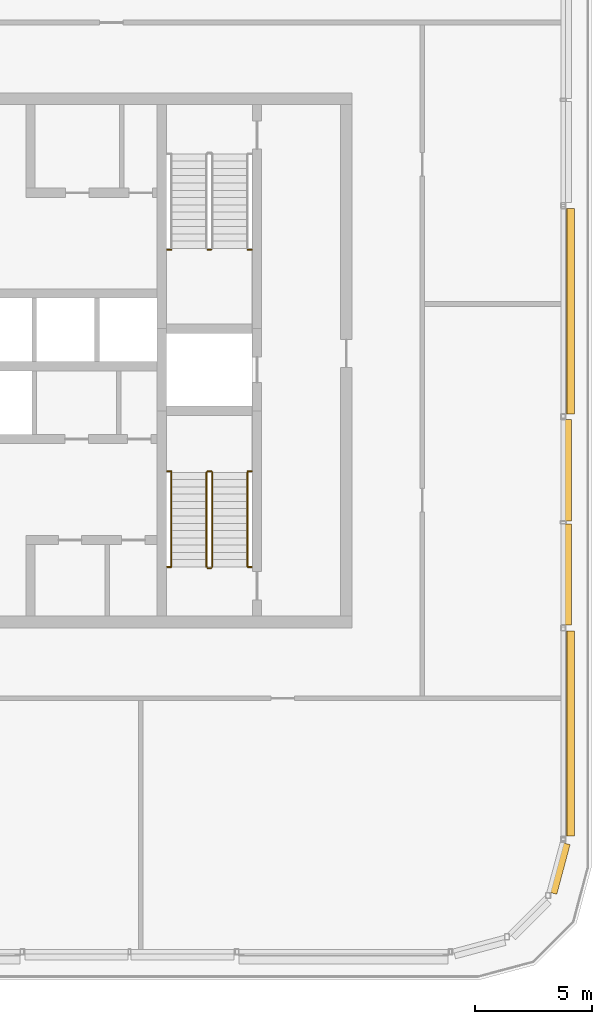
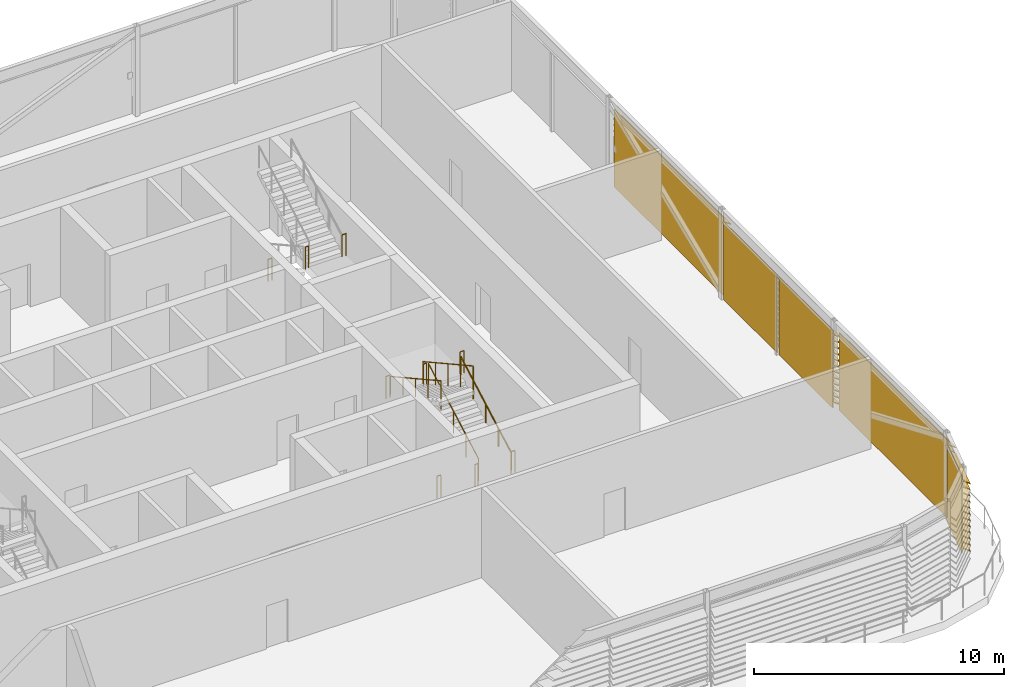
# One storey, part 27 of 29: 13 railings, 5 shading devices.
"""IFC4 building model written with IfcOpenShell, lengths in metres."""

from ifc_helpers import new_model, si_unit, direction, frame, origin, origin_2d, place, context, subcontext, project, spatial, polyline, circle, outline, extrude, material, type_object, element, save


model = new_model("IFC4")

# Units and contexts
model_context = context("Model", 3, precision=1e-05, world=origin(), true_north=direction((0.0, 1.0)))
body_context = subcontext(model_context, "Body", "Model", "MODEL_VIEW")
ifc_project = project(units=[si_unit("LENGTHUNIT", "METRE"), si_unit("AREAUNIT", "SQUARE_METRE"), si_unit("VOLUMEUNIT", "CUBIC_METRE"), si_unit("PLANEANGLEUNIT", "RADIAN"), si_unit("MASSUNIT", "GRAM", prefix="KILO")], contexts=[model_context])

# Site, building, storey
site_placement = place(None, origin())
site = spatial("IfcSite", under=ifc_project, at=site_placement, CompositionType="ELEMENT")
building_placement = place(site_placement, origin())
building = spatial("IfcBuilding", under=site, at=building_placement, Name="Madar Terraces", CompositionType="ELEMENT")
storey_placement = place(building_placement, frame((0.0, 0.0, 296.300048828125)))
storey = spatial("IfcBuildingStorey", under=building, at=storey_placement, Name="L77", CompositionType="ELEMENT", Elevation=296.300048828125)

# Shading devices
ifc_material_1 = material(Name="Aluminium, black anodised", Category="aluminium")
shading_device_type = type_object("IfcShadingDeviceType", Name="Crown louvre bank", PredefinedType="USERDEFINED", material=ifc_material_1)
shading_device_1_placement = place(storey_placement, frame((55.79541015625, 3.743896484375, 0.0), z_axis=(0.258788169352, 0.965934098893, 0.0), x_axis=(-0.965934098893, 0.258788169352, 0.0)))
element("IfcShadingDevice", 1, at=shading_device_1_placement, inside=storey, type_object=shading_device_type, Name="LOUVRE bank L77 8.1", ObjectType="LOUVRE", PredefinedType="USERDEFINED", context=body_context, shape_type="SweptSolid", body=[
    extrude(outline(polyline([(0.014892578125, 0.0), (-0.014892578125, 0.0), (-0.014892578125, 0.24951171875), (-0.3427734375, 0.02001953125), (-0.3427734375, 0.06884765625), (-0.014892578125, 0.29833984375), (-0.014892578125, 0.54931640625), (-0.3427734375, 0.320068359375), (-0.3427734375, 0.368896484375), (-0.014892578125, 0.59814453125), (-0.014892578125, 0.849365234375), (-0.3427734375, 0.6201171875), (-0.3427734375, 0.6689453125), (-0.014892578125, 0.898193359375), (-0.014892578125, 1.1494140625), (-0.3427734375, 0.919921875), (-0.3427734375, 0.96875), (-0.014892578125, 1.1982421875), (-0.014892578125, 1.449462890625), (-0.3427734375, 1.219970703125), (-0.3427734375, 1.268798828125), (-0.014892578125, 1.498291015625), (-0.014892578125, 1.74951171875), (-0.3427734375, 1.52001953125), (-0.3427734375, 1.56884765625), (-0.014892578125, 1.79833984375), (-0.014892578125, 2.04931640625), (-0.3427734375, 1.820068359375), (-0.3427734375, 1.868896484375), (-0.014892578125, 2.09814453125), (-0.014892578125, 2.349365234375), (-0.3427734375, 2.1201171875), (-0.3427734375, 2.1689453125), (-0.014892578125, 2.398193359375), (-0.014892578125, 2.6494140625), (-0.3427734375, 2.419921875), (-0.3427734375, 2.46875), (-0.014892578125, 2.6982421875), (-0.014892578125, 2.949462890625), (-0.3427734375, 2.719970703125), (-0.3427734375, 2.768798828125), (-0.014892578125, 2.998291015625), (-0.014892578125, 3.24951171875), (-0.3427734375, 3.02001953125), (-0.3427734375, 3.06884765625), (-0.014892578125, 3.29833984375), (-0.014892578125, 3.54931640625), (-0.3427734375, 3.320068359375), (-0.3427734375, 3.368896484375), (-0.014892578125, 3.59814453125), (-0.014892578125, 3.798095703125), (0.014892578125, 3.798095703125), (0.014892578125, 0.0)])), origin(), (0.0, 0.0, 1.0), 2.186767578125),
])
shading_device_2_placement = place(storey_placement, frame((56.39990234375, 6.126953125, 0.0), z_axis=(0.0, 1.0, 0.0), x_axis=(-1.0, 0.0, 0.0)))
element("IfcShadingDevice", 2, at=shading_device_2_placement, inside=storey, type_object=shading_device_type, Name="LOUVRE bank L77 9.1", ObjectType="LOUVRE", PredefinedType="USERDEFINED", context=body_context, shape_type="SweptSolid", body=[
    extrude(outline(polyline([(-0.131591796875, 0.0), (-0.16162109375, 0.0), (-0.16162109375, 0.24951171875), (-0.4892578125, 0.02001953125), (-0.4892578125, 0.06884765625), (-0.16162109375, 0.29833984375), (-0.16162109375, 0.54931640625), (-0.4892578125, 0.320068359375), (-0.4892578125, 0.368896484375), (-0.16162109375, 0.59814453125), (-0.16162109375, 0.849365234375), (-0.4892578125, 0.6201171875), (-0.4892578125, 0.6689453125), (-0.16162109375, 0.898193359375), (-0.16162109375, 1.1494140625), (-0.4892578125, 0.919921875), (-0.4892578125, 0.96875), (-0.16162109375, 1.1982421875), (-0.16162109375, 1.449462890625), (-0.4892578125, 1.219970703125), (-0.4892578125, 1.268798828125), (-0.16162109375, 1.498291015625), (-0.16162109375, 1.74951171875), (-0.4892578125, 1.52001953125), (-0.4892578125, 1.56884765625), (-0.16162109375, 1.79833984375), (-0.16162109375, 2.04931640625), (-0.4892578125, 1.820068359375), (-0.4892578125, 1.868896484375), (-0.16162109375, 2.09814453125), (-0.16162109375, 2.349365234375), (-0.4892578125, 2.1201171875), (-0.4892578125, 2.1689453125), (-0.16162109375, 2.398193359375), (-0.16162109375, 2.6494140625), (-0.4892578125, 2.419921875), (-0.4892578125, 2.46875), (-0.16162109375, 2.6982421875), (-0.16162109375, 2.949462890625), (-0.4892578125, 2.719970703125), (-0.4892578125, 2.768798828125), (-0.16162109375, 2.998291015625), (-0.16162109375, 3.24951171875), (-0.4892578125, 3.02001953125), (-0.4892578125, 3.06884765625), (-0.16162109375, 3.29833984375), (-0.16162109375, 3.54931640625), (-0.4892578125, 3.320068359375), (-0.4892578125, 3.368896484375), (-0.16162109375, 3.59814453125), (-0.16162109375, 3.798095703125), (-0.131591796875, 3.798095703125), (-0.131591796875, 0.0)])), origin(), (0.0, 0.0, 1.0), 8.74609375),
])
shading_device_3_placement = place(storey_placement, frame((56.39990234375, 15.126953125, 0.0), z_axis=(0.0, 1.0, 0.0), x_axis=(-1.0, 0.0, 0.0)))
element("IfcShadingDevice", 3, at=shading_device_3_placement, inside=storey, type_object=shading_device_type, Name="LOUVRE bank L77 10.1", ObjectType="LOUVRE", PredefinedType="USERDEFINED", context=body_context, shape_type="SweptSolid", body=[
    extrude(outline(polyline([(0.014892578125, 0.0), (-0.014892578125, 0.0), (-0.014892578125, 0.24951171875), (-0.3427734375, 0.02001953125), (-0.3427734375, 0.06884765625), (-0.014892578125, 0.29833984375), (-0.014892578125, 0.54931640625), (-0.3427734375, 0.320068359375), (-0.3427734375, 0.368896484375), (-0.014892578125, 0.59814453125), (-0.014892578125, 0.849365234375), (-0.3427734375, 0.6201171875), (-0.3427734375, 0.6689453125), (-0.014892578125, 0.898193359375), (-0.014892578125, 1.1494140625), (-0.3427734375, 0.919921875), (-0.3427734375, 0.96875), (-0.014892578125, 1.1982421875), (-0.014892578125, 1.449462890625), (-0.3427734375, 1.219970703125), (-0.3427734375, 1.268798828125), (-0.014892578125, 1.498291015625), (-0.014892578125, 1.74951171875), (-0.3427734375, 1.52001953125), (-0.3427734375, 1.56884765625), (-0.014892578125, 1.79833984375), (-0.014892578125, 2.04931640625), (-0.3427734375, 1.820068359375), (-0.3427734375, 1.868896484375), (-0.014892578125, 2.09814453125), (-0.014892578125, 2.349365234375), (-0.3427734375, 2.1201171875), (-0.3427734375, 2.1689453125), (-0.014892578125, 2.398193359375), (-0.014892578125, 2.6494140625), (-0.3427734375, 2.419921875), (-0.3427734375, 2.46875), (-0.014892578125, 2.6982421875), (-0.014892578125, 2.949462890625), (-0.3427734375, 2.719970703125), (-0.3427734375, 2.768798828125), (-0.014892578125, 2.998291015625), (-0.014892578125, 3.24951171875), (-0.3427734375, 3.02001953125), (-0.3427734375, 3.06884765625), (-0.014892578125, 3.29833984375), (-0.014892578125, 3.54931640625), (-0.3427734375, 3.320068359375), (-0.3427734375, 3.368896484375), (-0.014892578125, 3.59814453125), (-0.014892578125, 3.798095703125), (0.014892578125, 3.798095703125), (0.014892578125, 0.0)])), origin(), (0.0, 0.0, 1.0), 4.3095703125),
])
shading_device_4_placement = place(storey_placement, frame((56.39990234375, 19.5634765625, 0.0), z_axis=(0.0, 1.0, 0.0), x_axis=(-1.0, 0.0, 0.0)))
element("IfcShadingDevice", 4, at=shading_device_4_placement, inside=storey, type_object=shading_device_type, Name="LOUVRE bank L77 10.2", ObjectType="LOUVRE", PredefinedType="USERDEFINED", context=body_context, shape_type="SweptSolid", body=[
    extrude(outline(polyline([(0.014892578125, 0.0), (-0.014892578125, 0.0), (-0.014892578125, 0.24951171875), (-0.3427734375, 0.02001953125), (-0.3427734375, 0.06884765625), (-0.014892578125, 0.29833984375), (-0.014892578125, 0.54931640625), (-0.3427734375, 0.320068359375), (-0.3427734375, 0.368896484375), (-0.014892578125, 0.59814453125), (-0.014892578125, 0.849365234375), (-0.3427734375, 0.6201171875), (-0.3427734375, 0.6689453125), (-0.014892578125, 0.898193359375), (-0.014892578125, 1.1494140625), (-0.3427734375, 0.919921875), (-0.3427734375, 0.96875), (-0.014892578125, 1.1982421875), (-0.014892578125, 1.449462890625), (-0.3427734375, 1.219970703125), (-0.3427734375, 1.268798828125), (-0.014892578125, 1.498291015625), (-0.014892578125, 1.74951171875), (-0.3427734375, 1.52001953125), (-0.3427734375, 1.56884765625), (-0.014892578125, 1.79833984375), (-0.014892578125, 2.04931640625), (-0.3427734375, 1.820068359375), (-0.3427734375, 1.868896484375), (-0.014892578125, 2.09814453125), (-0.014892578125, 2.349365234375), (-0.3427734375, 2.1201171875), (-0.3427734375, 2.1689453125), (-0.014892578125, 2.398193359375), (-0.014892578125, 2.6494140625), (-0.3427734375, 2.419921875), (-0.3427734375, 2.46875), (-0.014892578125, 2.6982421875), (-0.014892578125, 2.949462890625), (-0.3427734375, 2.719970703125), (-0.3427734375, 2.768798828125), (-0.014892578125, 2.998291015625), (-0.014892578125, 3.24951171875), (-0.3427734375, 3.02001953125), (-0.3427734375, 3.06884765625), (-0.014892578125, 3.29833984375), (-0.014892578125, 3.54931640625), (-0.3427734375, 3.320068359375), (-0.3427734375, 3.368896484375), (-0.014892578125, 3.59814453125), (-0.014892578125, 3.798095703125), (0.014892578125, 3.798095703125), (0.014892578125, 0.0)])), origin(), (0.0, 0.0, 1.0), 4.3095703125),
])
shading_device_5_placement = place(storey_placement, frame((56.39990234375, 24.126953125, 0.0), z_axis=(0.0, 1.0, 0.0), x_axis=(-1.0, 0.0, 0.0)))
element("IfcShadingDevice", 5, at=shading_device_5_placement, inside=storey, type_object=shading_device_type, Name="LOUVRE bank L77 11.1", ObjectType="LOUVRE", PredefinedType="USERDEFINED", context=body_context, shape_type="SweptSolid", body=[
    extrude(outline(polyline([(-0.131591796875, 0.0), (-0.16162109375, 0.0), (-0.16162109375, 0.24951171875), (-0.4892578125, 0.02001953125), (-0.4892578125, 0.06884765625), (-0.16162109375, 0.29833984375), (-0.16162109375, 0.54931640625), (-0.4892578125, 0.320068359375), (-0.4892578125, 0.368896484375), (-0.16162109375, 0.59814453125), (-0.16162109375, 0.849365234375), (-0.4892578125, 0.6201171875), (-0.4892578125, 0.6689453125), (-0.16162109375, 0.898193359375), (-0.16162109375, 1.1494140625), (-0.4892578125, 0.919921875), (-0.4892578125, 0.96875), (-0.16162109375, 1.1982421875), (-0.16162109375, 1.449462890625), (-0.4892578125, 1.219970703125), (-0.4892578125, 1.268798828125), (-0.16162109375, 1.498291015625), (-0.16162109375, 1.74951171875), (-0.4892578125, 1.52001953125), (-0.4892578125, 1.56884765625), (-0.16162109375, 1.79833984375), (-0.16162109375, 2.04931640625), (-0.4892578125, 1.820068359375), (-0.4892578125, 1.868896484375), (-0.16162109375, 2.09814453125), (-0.16162109375, 2.349365234375), (-0.4892578125, 2.1201171875), (-0.4892578125, 2.1689453125), (-0.16162109375, 2.398193359375), (-0.16162109375, 2.6494140625), (-0.4892578125, 2.419921875), (-0.4892578125, 2.46875), (-0.16162109375, 2.6982421875), (-0.16162109375, 2.949462890625), (-0.4892578125, 2.719970703125), (-0.4892578125, 2.768798828125), (-0.16162109375, 2.998291015625), (-0.16162109375, 3.24951171875), (-0.4892578125, 3.02001953125), (-0.4892578125, 3.06884765625), (-0.16162109375, 3.29833984375), (-0.16162109375, 3.54931640625), (-0.4892578125, 3.320068359375), (-0.4892578125, 3.368896484375), (-0.16162109375, 3.59814453125), (-0.16162109375, 3.798095703125), (-0.131591796875, 3.798095703125), (-0.131591796875, 0.0)])), origin(), (0.0, 0.0, 1.0), 8.74609375),
])

# Railings
ifc_material_2 = material(Name="Stainless steel railing", Category="steel")
railing_type_1 = type_object("IfcRailingType", Name="Stair guard 1100", PredefinedType="GUARDRAIL", material=ifc_material_2)
railing_1_placement = place(storey_placement, frame((41.25, 31.1201171875, 2.39990234375)))
element("IfcRailing", 6, at=railing_1_placement, inside=storey, type_object=railing_type_1, Name="L77 ST2 stair guard 2", PredefinedType="GUARDRAIL", context=body_context, shape_type="SweptSolid", body=[
    extrude(circle(Radius=0.02392578125, at=origin_2d()), frame((0.0, 0.0, 1.076171875), z_axis=(1.0, 0.0, 0.0), x_axis=(0.0, 1.0, 0.0)), (0.0, 0.0, 1.0), 0.14990234375),
    extrude(circle(Radius=0.02099609375, at=origin_2d()), origin(), (0.0, 0.0, 1.0), 1.052001953125),
    extrude(circle(Radius=0.02099609375, at=origin_2d()), frame((0.14990234375, 0.0, 0.0)), (0.0, 0.0, 1.0), 1.052001953125),
])
railing_2_placement = place(storey_placement, frame((41.449951171875, 17.60009765625, 0.17138671875)))
element("IfcRailing", 7, at=railing_2_placement, inside=storey, type_object=railing_type_1, Name="L77 ST3 stair guard 1", PredefinedType="GUARDRAIL", context=body_context, shape_type="SweptSolid", body=[
    extrude(circle(Radius=0.02392578125, at=origin_2d()), frame((0.0, 0.0, 1.076171875), z_axis=(0.0, 0.875100925707, 0.483940461035), x_axis=(-1.0, 0.0, 0.0)), (0.0, 0.0, 1.0), 4.60498046875),
    extrude(circle(Radius=0.02099609375, at=origin_2d()), origin(), (0.0, 0.0, 1.0), 1.052001953125),
    extrude(circle(Radius=0.02099609375, at=origin_2d()), frame((0.0, 1.00732421875, 0.55712890625)), (0.0, 0.0, 1.0), 1.052001953125),
    extrude(circle(Radius=0.02099609375, at=origin_2d()), frame((0.0, 2.014892578125, 1.1142578125)), (0.0, 0.0, 1.0), 1.052001953125),
    extrude(circle(Radius=0.02099609375, at=origin_2d()), frame((0.0, 3.0224609375, 1.67138671875)), (0.0, 0.0, 1.0), 1.052001953125),
    extrude(circle(Radius=0.02099609375, at=origin_2d()), frame((0.0, 4.02978515625, 2.228515625)), (0.0, 0.0, 1.0), 1.052001953125),
])
railing_3_placement = place(storey_placement, frame((41.39990234375, 21.679931640625, 2.39990234375)))
element("IfcRailing", 8, at=railing_3_placement, inside=storey, type_object=railing_type_1, Name="L77 ST3 stair guard 2", PredefinedType="GUARDRAIL", context=body_context, shape_type="SweptSolid", body=[
    extrude(circle(Radius=0.02392578125, at=origin_2d()), frame((0.0, 0.0, 1.076171875), z_axis=(-1.0, 0.0, 0.0), x_axis=(0.0, -1.0, 0.0)), (0.0, 0.0, 1.0), 0.14990234375),
    extrude(circle(Radius=0.02099609375, at=origin_2d()), origin(), (0.0, 0.0, 1.0), 1.052001953125),
    extrude(circle(Radius=0.02099609375, at=origin_2d()), frame((-0.14990234375, 0.0, 0.0)), (0.0, 0.0, 1.0), 1.052001953125),
])
railing_4_placement = place(storey_placement, frame((41.199951171875, 21.6298828125, 2.5712890625)))
element("IfcRailing", 9, at=railing_4_placement, inside=storey, type_object=railing_type_1, Name="L77 ST3 stair guard 3", PredefinedType="GUARDRAIL", context=body_context, shape_type="SweptSolid", body=[
    extrude(circle(Radius=0.02392578125, at=origin_2d()), frame((0.0, 0.0, 1.076171875), z_axis=(0.0, -0.875078472754, 0.483981060086), x_axis=(1.0, 0.0, 0.0)), (0.0, 0.0, 1.0), 4.60498046875),
    extrude(circle(Radius=0.02099609375, at=origin_2d()), origin(), (0.0, 0.0, 1.0), 1.052001953125),
    extrude(circle(Radius=0.02099609375, at=origin_2d()), frame((0.0, -1.00732421875, 0.55712890625)), (0.0, 0.0, 1.0), 1.052001953125),
    extrude(circle(Radius=0.02099609375, at=origin_2d()), frame((0.0, -2.014892578125, 1.1142578125)), (0.0, 0.0, 1.0), 1.052001953125),
    extrude(circle(Radius=0.02099609375, at=origin_2d()), frame((0.0, -3.0224609375, 1.671630859375)), (0.0, 0.0, 1.0), 1.052001953125),
    extrude(circle(Radius=0.02099609375, at=origin_2d()), frame((0.0, -4.02978515625, 2.228759765625)), (0.0, 0.0, 1.0), 1.052001953125),
])
railing_5_placement = place(storey_placement, frame((41.39990234375, 17.550048828125, 0.0)))
element("IfcRailing", 10, at=railing_5_placement, inside=storey, type_object=railing_type_1, Name="L77 ST3 stair guard 4", PredefinedType="GUARDRAIL", context=body_context, shape_type="SweptSolid", body=[
    extrude(circle(Radius=0.02392578125, at=origin_2d()), frame((0.0, 0.0, 1.076171875), z_axis=(-1.0, 0.0, 0.0), x_axis=(0.0, -1.0, 0.0)), (0.0, 0.0, 1.0), 0.14990234375),
    extrude(circle(Radius=0.02099609375, at=origin_2d()), origin(), (0.0, 0.0, 1.0), 1.052001953125),
    extrude(circle(Radius=0.02099609375, at=origin_2d()), frame((-0.14990234375, 0.0, 0.0)), (0.0, 0.0, 1.0), 1.052001953125),
])
for number, where, name in (
    (11, (39.52001953125, 31.1201171875, 2.39990234375), "L77 stair guard seat 1"),
    (12, (42.949951171875, 31.1201171875, 2.39990234375), "L77 stair guard seat 2"),
    (13, (39.52001953125, 21.679931640625, 2.39990234375), "L77 stair guard seat 1"),
    (14, (42.949951171875, 21.679931640625, 2.39990234375), "L77 stair guard seat 2"),
    (15, (39.52001953125, 17.60009765625, 0.0), "L77 stair guard floor 1"),
    (16, (42.949951171875, 17.60009765625, 0.0), "L77 stair guard floor 2"),
):
    element("IfcRailing", number, at=place(storey_placement, frame(where)), inside=storey, type_object=railing_type_1, Name=name, PredefinedType="GUARDRAIL", context=body_context, shape_type="SweptSolid", body=[
        extrude(circle(Radius=0.02392578125, at=origin_2d()), frame((0.0, 0.0, 1.076171875), z_axis=(1.0, 0.0, 0.0), x_axis=(0.0, 1.0, 0.0)), (0.0, 0.0, 1.0), 0.179931640625),
        extrude(circle(Radius=0.02099609375, at=origin_2d()), origin(), (0.0, 0.0, 1.0), 1.052001953125),
        extrude(circle(Radius=0.02099609375, at=origin_2d()), frame((0.179931640625, 0.0, 0.0)), (0.0, 0.0, 1.0), 1.052001953125),
    ])
ifc_material_3 = material(Name="Stainless steel railing", Category="steel")
railing_type_2 = type_object("IfcRailingType", Name="Stair handrail 900", PredefinedType="HANDRAIL", material=ifc_material_3)
railing_6_placement = place(storey_placement, frame((42.949951171875, 17.60009765625, 0.17138671875)))
element("IfcRailing", 17, at=railing_6_placement, inside=storey, type_object=railing_type_2, Name="L77 ST3 stair handrail 1", PredefinedType="HANDRAIL", context=body_context, shape_type="SweptSolid", body=[
    extrude(circle(Radius=0.02392578125, at=origin_2d()), frame((0.0, 0.0, 0.8759765625), z_axis=(0.0, 0.875100925707, 0.483940461035), x_axis=(-1.0, 0.0, 0.0)), (0.0, 0.0, 1.0), 4.60498046875),
    extrude(circle(Radius=0.02099609375, at=origin_2d()), origin(), (0.0, 0.0, 1.0), 0.851806640625),
    extrude(circle(Radius=0.02099609375, at=origin_2d()), frame((0.0, 1.00732421875, 0.55712890625)), (0.0, 0.0, 1.0), 0.851806640625),
    extrude(circle(Radius=0.02099609375, at=origin_2d()), frame((0.0, 2.014892578125, 1.1142578125)), (0.0, 0.0, 1.0), 0.851806640625),
    extrude(circle(Radius=0.02099609375, at=origin_2d()), frame((0.0, 3.0224609375, 1.67138671875)), (0.0, 0.0, 1.0), 0.851806640625),
    extrude(circle(Radius=0.02099609375, at=origin_2d()), frame((0.0, 4.02978515625, 2.228515625)), (0.0, 0.0, 1.0), 0.851806640625),
])
railing_7_placement = place(storey_placement, frame((39.699951171875, 21.6298828125, 2.5712890625)))
element("IfcRailing", 18, at=railing_7_placement, inside=storey, type_object=railing_type_2, Name="L77 ST3 stair handrail 2", PredefinedType="HANDRAIL", context=body_context, shape_type="SweptSolid", body=[
    extrude(circle(Radius=0.02392578125, at=origin_2d()), frame((0.0, 0.0, 0.8759765625), z_axis=(0.0, -0.875078472754, 0.483981060086), x_axis=(1.0, 0.0, 0.0)), (0.0, 0.0, 1.0), 4.60498046875),
    extrude(circle(Radius=0.02099609375, at=origin_2d()), origin(), (0.0, 0.0, 1.0), 0.851806640625),
    extrude(circle(Radius=0.02099609375, at=origin_2d()), frame((0.0, -1.00732421875, 0.55712890625)), (0.0, 0.0, 1.0), 0.851806640625),
    extrude(circle(Radius=0.02099609375, at=origin_2d()), frame((0.0, -2.014892578125, 1.1142578125)), (0.0, 0.0, 1.0), 0.851806640625),
    extrude(circle(Radius=0.02099609375, at=origin_2d()), frame((0.0, -3.0224609375, 1.671630859375)), (0.0, 0.0, 1.0), 0.851806640625),
    extrude(circle(Radius=0.02099609375, at=origin_2d()), frame((0.0, -4.02978515625, 2.228759765625)), (0.0, 0.0, 1.0), 0.851806640625),
])

save(model, "model.ifc")
